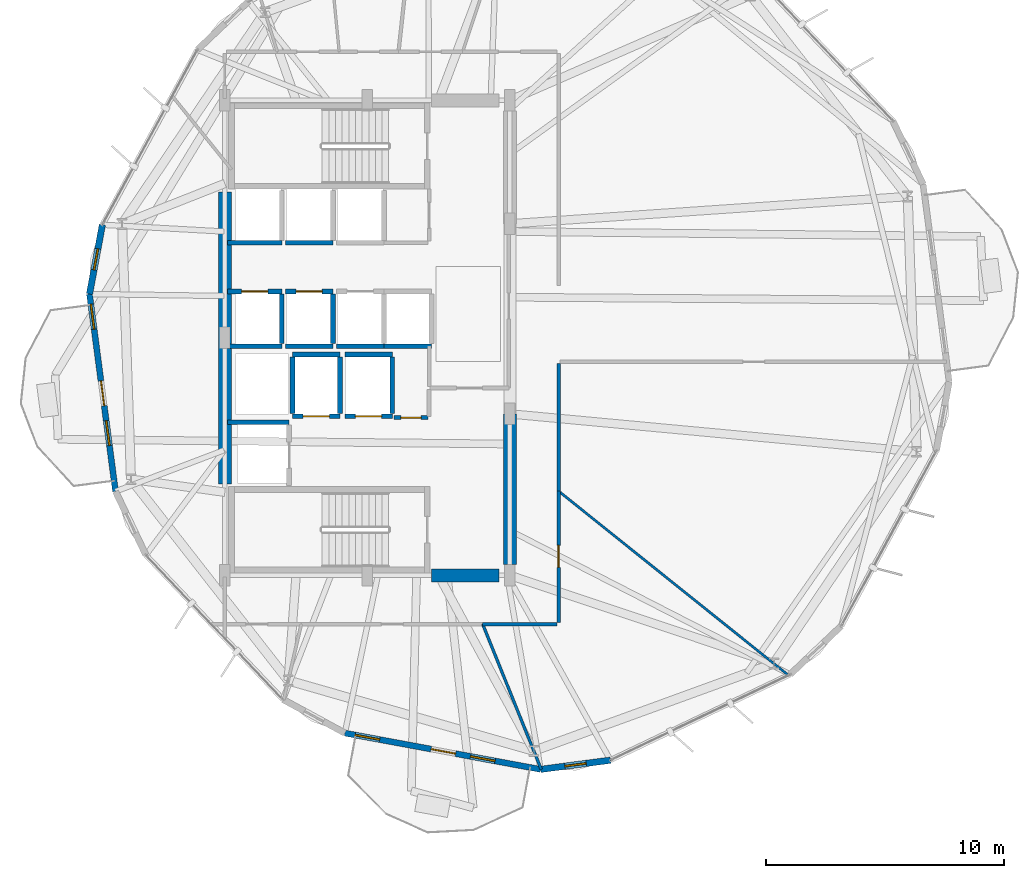
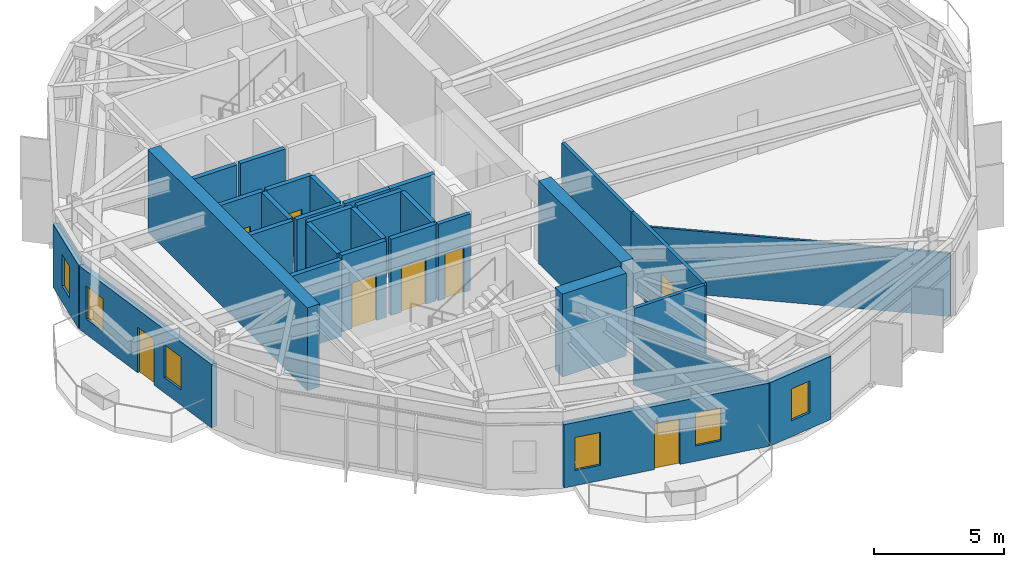
# One storey, part 20 of 25: 31 walls, 8 doors, 6 windows, 14 openings.
"""IFC4 building model written with IfcOpenShell, lengths in metres."""

import ifcopenshell
import ifcopenshell.guid

model = None  # the IFC model being written
_history = None  # IfcOwnerHistory: only IFC2X3 demands one
_inside = {}  # id of a spatial element -> (the spatial element, [elements in it])
_under = {}  # id of a project, library or spatial element -> (it, [spatial elements below it])
_declared = {}  # id of a project -> (the project, [libraries it declares])
_typed = {}  # id of a type object -> (the type object, [elements of that type])
_made_of = {}  # id of a material, layer set ... -> (it, [elements and type objects made of it])


def new_model(schema):
    """Start an empty IFC model of exactly this schema.

    Asked for "IFC4X3", IfcOpenShell would pick the latest addendum, in which some entities
    have other attributes; the version numbers below select the first issue.
    IFC2X3 requires an IfcOwnerHistory on every rooted entity: one is made here for all.
    """
    global model, _history
    if schema == "IFC4X3":
        model = ifcopenshell.file(schema_version=(4, 3, 0, 0))
    else:
        model = ifcopenshell.file(schema=schema)
    _inside.clear()
    _under.clear()
    _declared.clear()
    _typed.clear()
    _made_of.clear()
    _history = None
    if model.schema == "IFC2X3":
        org = make("IfcOrganization", Name="unknown")
        user = make(
            "IfcPersonAndOrganization",
            ThePerson=make("IfcPerson", FamilyName="unknown"),
            TheOrganization=org,
        )
        app = make(
            "IfcApplication",
            ApplicationDeveloper=org,
            Version="unknown",
            ApplicationFullName="unknown",
            ApplicationIdentifier="unknown",
        )
        _history = make(
            "IfcOwnerHistory",
            OwningUser=user,
            OwningApplication=app,
            ChangeAction="ADDED",
            CreationDate=0,
        )
    return model


def make(cls, **values):
    """One entity of the class cls with the attributes given. An attribute that is None is left unset."""
    return model.create_entity(
        cls, **{name: value for name, value in values.items() if value is not None}
    )


def rooted(cls, **values):
    """An entity with a GlobalId (a new one), such as an element, a storey or a relation."""
    return make(cls, GlobalId=ifcopenshell.guid.new(), OwnerHistory=_history, **values)


def si_unit(unit_type, name, prefix=None):
    """IfcSIUnit, for example si_unit("LENGTHUNIT", "METRE", prefix="MILLI")."""
    return make("IfcSIUnit", UnitType=unit_type, Prefix=prefix, Name=name)


def assignment(units):
    """IfcUnitAssignment: the units of a project."""
    return None if units is None else make("IfcUnitAssignment", Units=units)


def point(xyz):
    """IfcCartesianPoint."""
    return None if xyz is None else make("IfcCartesianPoint", Coordinates=xyz)


def direction(xyz):
    """IfcDirection."""
    return None if xyz is None else make("IfcDirection", DirectionRatios=xyz)


def frame(location, z_axis=None, x_axis=None):
    """IfcAxis2Placement3D, a coordinate frame: its origin and axes. An axis left out is left unset."""
    return make(
        "IfcAxis2Placement3D",
        Location=point(location),
        Axis=direction(z_axis),
        RefDirection=direction(x_axis),
    )


def frame_2d(location, x_axis=None):
    """IfcAxis2Placement2D, a coordinate frame in the plane: its origin and x axis."""
    return make(
        "IfcAxis2Placement2D", Location=point(location), RefDirection=direction(x_axis)
    )


def origin():
    """The frame at (0, 0, 0) with its axes left unset."""
    return frame((0.0, 0.0, 0.0))


def place(relative_to, where):
    """IfcLocalPlacement: puts the frame where relative to a parent placement (None: the world)."""
    return make(
        "IfcLocalPlacement", PlacementRelTo=relative_to, RelativePlacement=where
    )


def context(
    kind, dimensions, precision=None, world=None, true_north=None, identifier=None
):
    """IfcGeometricRepresentationContext, for example the 3D "Model" context."""
    return make(
        "IfcGeometricRepresentationContext",
        ContextIdentifier=identifier,
        ContextType=kind,
        CoordinateSpaceDimension=dimensions,
        Precision=precision,
        WorldCoordinateSystem=world,
        TrueNorth=true_north,
    )


def subcontext(parent, identifier, kind, view, scale=None):
    """IfcGeometricRepresentationSubContext, for example "Body" below "Model"."""
    return make(
        "IfcGeometricRepresentationSubContext",
        ContextIdentifier=identifier,
        ContextType=kind,
        ParentContext=parent,
        TargetScale=scale,
        TargetView=view,
    )


def project(units=None, contexts=None):
    """IfcProject with its units and contexts."""
    return rooted(
        "IfcProject",
        Name="project",
        RepresentationContexts=contexts,
        UnitsInContext=assignment(units),
    )


def spatial(cls, under=None, at=None, **own):
    """A site, building, storey or space (cls), placed at a placement, below another one or the project."""
    s = rooted(cls, ObjectPlacement=at, **own)
    if under is not None:
        _under.setdefault(under.id(), (under, []))[1].append(s)
    return s


def profile(cls, at=None, kind="AREA", **sizes):
    """A parametric profile (cls). Its sizes go by their IFC names, for example OverallWidth=200.0."""
    return make(cls, ProfileType=kind, Position=at, **sizes)


def rectangle(**sizes):
    """IfcRectangleProfileDef."""
    return profile("IfcRectangleProfileDef", **sizes)


def extrude(swept, where, along, depth):
    """IfcExtrudedAreaSolid: the profile swept, set in the frame where, extruded along a direction by depth."""
    return make(
        "IfcExtrudedAreaSolid",
        SweptArea=swept,
        Position=where,
        ExtrudedDirection=direction(along),
        Depth=depth,
    )


def shape(context_of_items, identifier, shape_type, items):
    """IfcShapeRepresentation: the items that make up one representation, for example the "Body"."""
    return make(
        "IfcShapeRepresentation",
        ContextOfItems=context_of_items,
        RepresentationIdentifier=identifier,
        RepresentationType=shape_type,
        Items=items,
    )


def material(Name=None, Category=None):
    """IfcMaterial."""
    return make("IfcMaterial", Name=Name, Category=Category)


def layer(
    of_material, thickness, ventilated=None, Name=None, Category=None, Priority=None
):
    """IfcMaterialLayer: one layer of a wall or slab, of a material (None: an air gap)."""
    return make(
        "IfcMaterialLayer",
        Material=of_material,
        LayerThickness=thickness,
        IsVentilated=ventilated,
        Name=Name,
        Category=Category,
        Priority=Priority,
    )


def layer_set(layers, Name=None):
    """IfcMaterialLayerSet."""
    return make("IfcMaterialLayerSet", MaterialLayers=layers, LayerSetName=Name)


def made_of(thing, what):
    """Note that an element or type object is made of a material, layer set ...; save() writes the relation."""
    if what is not None:
        _made_of.setdefault(what.id(), (what, []))[1].append(thing)
    return thing


def type_object(cls, material=None, **own):
    """A type object (cls), such as IfcWallType, which elements share."""
    return made_of(rooted(cls, **own), material)


def element(
    cls,
    number,
    at=None,
    inside=None,
    cuts=None,
    type_object=None,
    material=None,
    context=None,
    identifier="Body",
    shape_type=None,
    held_by="IfcProductDefinitionShape",
    body=None,
    shapes=None,
    **own,
):
    """One element of the class cls, such as IfcWall. Its Tag is "e" and its number.

    at: its placement. inside: the storey or other place that contains it. cuts: it is an
    opening in that element (IfcRelVoidsElement). A single representation is given by context,
    identifier, shape_type and body (its items); several are given by shapes. held_by: the class
    of the entity that holds the representations. save() writes the other relations.
    """
    e = rooted(cls, Tag="e%d" % number, ObjectPlacement=at, **own)
    if body is not None:
        shapes = [shape(context, identifier, shape_type, body)]
    if shapes is not None:
        e.Representation = make(held_by, Representations=shapes)
    if inside is not None:
        _inside.setdefault(inside.id(), (inside, []))[1].append(e)
    if cuts is not None:
        rooted(
            "IfcRelVoidsElement", RelatingBuildingElement=cuts, RelatedOpeningElement=e
        )
    if type_object is not None:
        _typed.setdefault(type_object.id(), (type_object, []))[1].append(e)
    return made_of(e, material)


def fill(opening, filler):
    """IfcRelFillsElement: the door or window that sits in an opening."""
    return rooted(
        "IfcRelFillsElement",
        RelatingOpeningElement=opening,
        RelatedBuildingElement=filler,
    )


def aggregate(whole, parts):
    """IfcRelAggregates: a whole, such as a stair, and the parts it consists of."""
    return rooted("IfcRelAggregates", RelatingObject=whole, RelatedObjects=parts)


def save(model, path):
    """Write the relations noted so far, then the file.

    IfcRelAggregates (storeys below a building ...), IfcRelContainedInSpatialStructure (elements
    in a storey), IfcRelDefinesByType, IfcRelAssociatesMaterial and IfcRelDeclares: one each for
    every whole, place, type object, material and project.
    """
    for whole, parts in _under.values():
        aggregate(whole, parts)
    for where, things in _inside.values():
        rooted(
            "IfcRelContainedInSpatialStructure",
            RelatedElements=things,
            RelatingStructure=where,
        )
    for kind, things in _typed.values():
        rooted("IfcRelDefinesByType", RelatedObjects=things, RelatingType=kind)
    for what, things in _made_of.values():
        rooted("IfcRelAssociatesMaterial", RelatedObjects=things, RelatingMaterial=what)
    for by, libraries in _declared.values():
        rooted("IfcRelDeclares", RelatingContext=by, RelatedDefinitions=libraries)
    model.write(path)


model = new_model("IFC4")

# Units and contexts
model_context = context("Model", 3, precision=1e-05, world=origin(), true_north=direction((0.0, 1.0)))
body_context = subcontext(model_context, "Body", "Model", "MODEL_VIEW")
ifc_project = project(units=[si_unit("LENGTHUNIT", "METRE"), si_unit("AREAUNIT", "SQUARE_METRE"), si_unit("VOLUMEUNIT", "CUBIC_METRE"), si_unit("PLANEANGLEUNIT", "RADIAN"), si_unit("MASSUNIT", "GRAM", prefix="KILO")], contexts=[model_context])

# Site, building, storey
site_placement = place(None, origin())
site = spatial("IfcSite", under=ifc_project, at=site_placement, CompositionType="ELEMENT")
building_placement = place(site_placement, origin())
building = spatial("IfcBuilding", under=site, at=building_placement, Name="Soratama Intermodal Tower", CompositionType="ELEMENT")
storey_placement = place(building_placement, frame((0.0, 0.0, 126.39990234375)))
storey = spatial("IfcBuildingStorey", under=building, at=storey_placement, Name="L30", CompositionType="ELEMENT", Elevation=126.39990234375)

# Wall, openings, door, windows
ifc_material_1 = material(Name="Concrete f'c 42 MPa", Category="concrete")
ifc_layer_1 = layer(ifc_material_1, 0.25)
ifc_layer_set_1 = layer_set([ifc_layer_1], Name="Concrete f'c 42 MPa")
wall_type_1 = type_object("IfcWallType", Name="EW-BAL-250", PredefinedType="SOLIDWALL", material=ifc_layer_set_1)
wall_1_placement = place(storey_placement, frame((26.9033203125, 26.845458984375, 0.0), z_axis=(0.0, 0.0, 1.0), x_axis=(0.130551689343, -0.99144150428, 0.0)))
wall_1 = element("IfcWall", 1, at=wall_1_placement, inside=storey, type_object=wall_type_1, Name="L30 Terrace Wall F05", PredefinedType="SOLIDWALL", context=body_context, shape_type="SweptSolid", body=[
    extrude(rectangle(XDim=8.383544921875, YDim=0.25, at=frame_2d((4.19189453125, 0.0))), origin(), (0.0, 0.0, 1.0), 2.97900390625),
])
opening_1_placement = place(wall_1_placement, frame((3.69189453125, 0.0, 0.0)))
opening_1 = element("IfcOpeningElement", 2, at=opening_1_placement, cuts=wall_1, Name="Opening ED-5", PredefinedType="OPENING", context=body_context, shape_type="SweptSolid", body=[
    extrude(rectangle(XDim=1.050048828125, YDim=2.14990234375, at=frame_2d((0.52490234375, 1.074951171875))), frame((0.0, 0.135009765625, 0.0), z_axis=(0.0, -1.0, 0.0), x_axis=(1.0, 0.0, 0.0)), (0.0, 0.0, 1.0), 0.27001953125),
])
opening_2_placement = place(wall_1_placement, frame((0.43994140625, 0.0, 0.719970703125)))
opening_2 = element("IfcOpeningElement", 3, at=opening_2_placement, cuts=wall_1, Name="Opening WN-5", PredefinedType="OPENING", context=body_context, shape_type="SweptSolid", body=[
    extrude(rectangle(XDim=1.050048828125, YDim=1.550048828125, at=frame_2d((0.52490234375, 0.77490234375))), frame((0.0, 0.135009765625, 0.0), z_axis=(0.0, -1.0, 0.0), x_axis=(1.0, 0.0, 0.0)), (0.0, 0.0, 1.0), 0.27001953125),
])
opening_3_placement = place(wall_1_placement, frame((5.3818359375, 0.0, 0.719970703125)))
opening_3 = element("IfcOpeningElement", 4, at=opening_3_placement, cuts=wall_1, Name="Opening WN-5", PredefinedType="OPENING", context=body_context, shape_type="SweptSolid", body=[
    extrude(rectangle(XDim=1.050048828125, YDim=1.550048828125, at=frame_2d((0.52490234375, 0.77490234375))), frame((0.0, 0.135009765625, 0.0), z_axis=(0.0, -1.0, 0.0), x_axis=(1.0, 0.0, 0.0)), (0.0, 0.0, 1.0), 0.27001953125),
])
ifc_material_2 = material(Name="Double-glazed aluminium door", Category="aluminium")
door_type_1 = type_object("IfcDoorType", Name="DR-BAL-1050", OperationType="NOTDEFINED", PredefinedType="DOOR", material=ifc_material_2)
door_1_placement = place(opening_1_placement, origin())
door_1 = element("IfcDoor", 5, at=door_1_placement, inside=storey, type_object=door_type_1, Name="L30 Balcony Door F05", OperationType="SINGLE_SWING_LEFT", OverallHeight=2.14990234375, OverallWidth=1.050048828125, PredefinedType="DOOR", context=body_context, shape_type="SweptSolid", body=[
    extrude(rectangle(XDim=1.050048828125, YDim=2.14990234375, at=frame_2d((0.52490234375, 1.074951171875))), frame((0.0, 0.02490234375, 0.0), z_axis=(0.0, -1.0, 0.0), x_axis=(1.0, 0.0, 0.0)), (0.0, 0.0, 1.0), 0.050048828125),
])
fill(opening_1, door_1)
ifc_material_3 = material(Name="Double-glazed aluminium window", Category="aluminium")
window_type_1 = type_object("IfcWindowType", Name="WN-FAC-1050", PartitioningType="SINGLE_PANEL", PredefinedType="WINDOW", material=ifc_material_3)
window_1_placement = place(opening_2_placement, origin())
window_1 = element("IfcWindow", 6, at=window_1_placement, inside=storey, type_object=window_type_1, Name="L30 Window A F05", OverallHeight=1.550048828125, OverallWidth=1.050048828125, PartitioningType="SINGLE_PANEL", PredefinedType="WINDOW", context=body_context, shape_type="SweptSolid", body=[
    extrude(rectangle(XDim=1.050048828125, YDim=1.550048828125, at=frame_2d((0.52490234375, 0.77490234375))), frame((0.0, 0.030029296875, 0.0), z_axis=(0.0, -1.0, 0.0), x_axis=(1.0, 0.0, 0.0)), (0.0, 0.0, 1.0), 0.06005859375),
])
fill(opening_2, window_1)
window_2_placement = place(opening_3_placement, origin())
window_2 = element("IfcWindow", 7, at=window_2_placement, inside=storey, type_object=window_type_1, Name="L30 Window B F05", OverallHeight=1.550048828125, OverallWidth=1.050048828125, PartitioningType="SINGLE_PANEL", PredefinedType="WINDOW", context=body_context, shape_type="SweptSolid", body=[
    extrude(rectangle(XDim=1.050048828125, YDim=1.550048828125, at=frame_2d((0.52490234375, 0.77490234375))), frame((0.0, 0.030029296875, 0.0), z_axis=(0.0, -1.0, 0.0), x_axis=(1.0, 0.0, 0.0)), (0.0, 0.0, 1.0), 0.06005859375),
])
fill(opening_3, window_2)

wall_2_placement = place(storey_placement, frame((37.652587890625, 8.359375, 0.0), z_axis=(0.0, 0.0, 1.0), x_axis=(0.983253798772, -0.182241507899, 0.0)))
wall_2 = element("IfcWall", 8, at=wall_2_placement, inside=storey, type_object=wall_type_1, Name="L30 Terrace Wall F07", PredefinedType="SOLIDWALL", context=body_context, shape_type="SweptSolid", body=[
    extrude(rectangle(XDim=8.383544921875, YDim=0.25, at=frame_2d((4.19189453125, 0.0))), origin(), (0.0, 0.0, 1.0), 2.97900390625),
])
opening_4_placement = place(wall_2_placement, frame((3.691650390625, 0.0, 0.0)))
opening_4 = element("IfcOpeningElement", 9, at=opening_4_placement, cuts=wall_2, Name="Opening ED-5", PredefinedType="OPENING", context=body_context, shape_type="SweptSolid", body=[
    extrude(rectangle(XDim=1.050048828125, YDim=2.14990234375, at=frame_2d((0.52490234375, 1.074951171875))), frame((0.0, 0.135009765625, 0.0), z_axis=(0.0, -1.0, 0.0), x_axis=(1.0, 0.0, 0.0)), (0.0, 0.0, 1.0), 0.27001953125),
])
opening_5_placement = place(wall_2_placement, frame((0.43994140625, 0.0, 0.719970703125)))
opening_5 = element("IfcOpeningElement", 10, at=opening_5_placement, cuts=wall_2, Name="Opening WN-5", PredefinedType="OPENING", context=body_context, shape_type="SweptSolid", body=[
    extrude(rectangle(XDim=1.050048828125, YDim=1.550048828125, at=frame_2d((0.52490234375, 0.77490234375))), frame((0.0, 0.135009765625, 0.0), z_axis=(0.0, -1.0, 0.0), x_axis=(1.0, 0.0, 0.0)), (0.0, 0.0, 1.0), 0.27001953125),
])
opening_6_placement = place(wall_2_placement, frame((5.381591796875, 0.0, 0.719970703125)))
opening_6 = element("IfcOpeningElement", 11, at=opening_6_placement, cuts=wall_2, Name="Opening WN-5", PredefinedType="OPENING", context=body_context, shape_type="SweptSolid", body=[
    extrude(rectangle(XDim=1.050048828125, YDim=1.550048828125, at=frame_2d((0.52490234375, 0.77490234375))), frame((0.0, 0.135009765625, 0.0), z_axis=(0.0, -1.0, 0.0), x_axis=(1.0, 0.0, 0.0)), (0.0, 0.0, 1.0), 0.27001953125),
])
door_2_placement = place(opening_4_placement, origin())
door_2 = element("IfcDoor", 12, at=door_2_placement, inside=storey, type_object=door_type_1, Name="L30 Balcony Door F07", OperationType="SINGLE_SWING_LEFT", OverallHeight=2.14990234375, OverallWidth=1.050048828125, PredefinedType="DOOR", context=body_context, shape_type="SweptSolid", body=[
    extrude(rectangle(XDim=1.050048828125, YDim=2.14990234375, at=frame_2d((0.52490234375, 1.074951171875))), frame((0.0, 0.02490234375, 0.0), z_axis=(0.0, -1.0, 0.0), x_axis=(1.0, 0.0, 0.0)), (0.0, 0.0, 1.0), 0.050048828125),
])
fill(opening_4, door_2)
window_3_placement = place(opening_5_placement, origin())
window_3 = element("IfcWindow", 13, at=window_3_placement, inside=storey, type_object=window_type_1, Name="L30 Window A F07", OverallHeight=1.550048828125, OverallWidth=1.050048828125, PartitioningType="SINGLE_PANEL", PredefinedType="WINDOW", context=body_context, shape_type="SweptSolid", body=[
    extrude(rectangle(XDim=1.050048828125, YDim=1.550048828125, at=frame_2d((0.52490234375, 0.77490234375))), frame((0.0, 0.030029296875, 0.0), z_axis=(0.0, -1.0, 0.0), x_axis=(1.0, 0.0, 0.0)), (0.0, 0.0, 1.0), 0.06005859375),
])
fill(opening_5, window_3)
window_4_placement = place(opening_6_placement, origin())
window_4 = element("IfcWindow", 14, at=window_4_placement, inside=storey, type_object=window_type_1, Name="L30 Window B F07", OverallHeight=1.550048828125, OverallWidth=1.050048828125, PartitioningType="SINGLE_PANEL", PredefinedType="WINDOW", context=body_context, shape_type="SweptSolid", body=[
    extrude(rectangle(XDim=1.050048828125, YDim=1.550048828125, at=frame_2d((0.52490234375, 0.77490234375))), frame((0.0, 0.030029296875, 0.0), z_axis=(0.0, -1.0, 0.0), x_axis=(1.0, 0.0, 0.0)), (0.0, 0.0, 1.0), 0.06005859375),
])
fill(opening_6, window_4)

# Wall, opening, window
ifc_material_4 = material(Name="Concrete f'c 42 MPa", Category="concrete")
ifc_layer_2 = layer(ifc_material_4, 0.27001953125)
ifc_layer_set_2 = layer_set([ifc_layer_2], Name="Concrete f'c 42 MPa")
wall_type_2 = type_object("IfcWallType", Name="EW-CRN-270", PredefinedType="SOLIDWALL", material=ifc_layer_set_2)
wall_3_placement = place(storey_placement, frame((27.444091796875, 29.76220703125, 0.0), z_axis=(0.0, 0.0, 1.0), x_axis=(-0.182295553122, -0.983243780205, 0.0)))
wall_3 = element("IfcWall", 15, at=wall_3_placement, inside=storey, type_object=wall_type_2, Name="L30 Corner Closure Wall 04", PredefinedType="SOLIDWALL", context=body_context, shape_type="SweptSolid", body=[
    extrude(rectangle(XDim=2.966552734375, YDim=0.27001953125, at=frame_2d((1.4833984375, 0.0))), origin(), (0.0, 0.0, 1.0), 2.97900390625),
])
opening_7_placement = place(wall_3_placement, frame((1.033203125, 0.0, 0.75)))
opening_7 = element("IfcOpeningElement", 16, at=opening_7_placement, cuts=wall_3, Name="Opening WN-6", PredefinedType="OPENING", context=body_context, shape_type="SweptSolid", body=[
    extrude(rectangle(XDim=0.89990234375, YDim=1.5, at=frame_2d((0.449951171875, 0.75))), frame((0.0, 0.14501953125, 0.0), z_axis=(0.0, -1.0, 0.0), x_axis=(1.0, 0.0, 0.0)), (0.0, 0.0, 1.0), 0.2900390625),
])
ifc_material_5 = material(Name="Double-glazed aluminium window", Category="aluminium")
window_type_2 = type_object("IfcWindowType", Name="WN-FAC-900", PartitioningType="SINGLE_PANEL", PredefinedType="WINDOW", material=ifc_material_5)
window_5_placement = place(opening_7_placement, origin())
window_5 = element("IfcWindow", 17, at=window_5_placement, inside=storey, type_object=window_type_2, Name="L30 Corner Window 04", OverallHeight=1.5, OverallWidth=0.89990234375, PartitioningType="SINGLE_PANEL", PredefinedType="WINDOW", context=body_context, shape_type="SweptSolid", body=[
    extrude(rectangle(XDim=0.89990234375, YDim=1.5, at=frame_2d((0.449951171875, 0.75))), frame((0.0, 0.030029296875, 0.0), z_axis=(0.0, -1.0, 0.0), x_axis=(1.0, 0.0, 0.0)), (0.0, 0.0, 1.0), 0.06005859375),
])
fill(opening_7, window_5)

wall_4_placement = place(storey_placement, frame((45.895751953125, 6.83154296875, 0.0), z_axis=(0.0, 0.0, 1.0), x_axis=(0.991434395997, 0.130605660036, 0.0)))
wall_4 = element("IfcWall", 18, at=wall_4_placement, inside=storey, type_object=wall_type_2, Name="L30 Corner Closure Wall 07", PredefinedType="SOLIDWALL", context=body_context, shape_type="SweptSolid", body=[
    extrude(rectangle(XDim=2.966552734375, YDim=0.27001953125, at=frame_2d((1.4833984375, 0.0))), origin(), (0.0, 0.0, 1.0), 2.97900390625),
])
opening_8_placement = place(wall_4_placement, frame((1.033203125, 0.0, 0.75)))
opening_8 = element("IfcOpeningElement", 19, at=opening_8_placement, cuts=wall_4, Name="Opening WN-6", PredefinedType="OPENING", context=body_context, shape_type="SweptSolid", body=[
    extrude(rectangle(XDim=0.89990234375, YDim=1.5, at=frame_2d((0.449951171875, 0.75))), frame((0.0, 0.14501953125, 0.0), z_axis=(0.0, -1.0, 0.0), x_axis=(1.0, 0.0, 0.0)), (0.0, 0.0, 1.0), 0.2900390625),
])
window_6_placement = place(opening_8_placement, origin())
window_6 = element("IfcWindow", 20, at=window_6_placement, inside=storey, type_object=window_type_2, Name="L30 Corner Window 07", OverallHeight=1.5, OverallWidth=0.89990234375, PartitioningType="SINGLE_PANEL", PredefinedType="WINDOW", context=body_context, shape_type="SweptSolid", body=[
    extrude(rectangle(XDim=0.89990234375, YDim=1.5, at=frame_2d((0.449951171875, 0.75))), frame((0.0, 0.030029296875, 0.0), z_axis=(0.0, -1.0, 0.0), x_axis=(1.0, 0.0, 0.0)), (0.0, 0.0, 1.0), 0.06005859375),
])
fill(opening_8, window_6)

# Wall, opening, door
ifc_material_6 = material(Name="Fire-rated gypsum stud partition", Category="concrete")
ifc_layer_3 = layer(ifc_material_6, 0.14990234375)
ifc_layer_set_3 = layer_set([ifc_layer_3], Name="Fire-rated gypsum stud partition")
wall_type_3 = type_object("IfcWallType", Name="IW-PART-R150", PredefinedType="PARTITIONING", material=ifc_layer_set_3)
wall_5_placement = place(storey_placement, frame((46.64990234375, 18.550048828125, 0.0), z_axis=(0.0, 0.0, 1.0), x_axis=(0.0, -1.0, 0.0)))
wall_5 = element("IfcWall", 21, at=wall_5_placement, inside=storey, type_object=wall_type_3, Name="L30 Partition W-L30-TP007", PredefinedType="PARTITIONING", context=body_context, shape_type="SweptSolid", body=[
    extrude(rectangle(XDim=5.530029296875, YDim=0.14990234375, at=frame_2d((2.76513671875, 0.0))), origin(), (0.0, 0.0, 1.0), 3.60009765625),
])
opening_9_placement = place(wall_5_placement, frame((2.2900390625, 0.0, 0.0)))
opening_9 = element("IfcOpeningElement", 22, at=opening_9_placement, cuts=wall_5, Name="Opening ID-6", PredefinedType="OPENING", context=body_context, shape_type="SweptSolid", body=[
    extrude(rectangle(XDim=0.919921875, YDim=2.1201171875, at=frame_2d((0.4599609375, 1.06005859375))), frame((0.0, 0.0849609375, 0.0), z_axis=(0.0, -1.0, 0.0), x_axis=(1.0, 0.0, 0.0)), (0.0, 0.0, 1.0), 0.169921875),
])
ifc_material_7 = material(Name="Solid hardwood acoustic door", Category="wood")
door_type_2 = type_object("IfcDoorType", Name="DR-ROOM-920", OperationType="NOTDEFINED", PredefinedType="DOOR", material=ifc_material_7)
door_3_placement = place(opening_9_placement, origin())
door_3 = element("IfcDoor", 23, at=door_3_placement, inside=storey, type_object=door_type_2, Name="L30 Door D-L30-TP004", OperationType="SINGLE_SWING_LEFT", OverallHeight=2.1201171875, OverallWidth=0.919921875, PredefinedType="DOOR", context=body_context, shape_type="SweptSolid", body=[
    extrude(rectangle(XDim=0.919921875, YDim=2.1201171875, at=frame_2d((0.4599609375, 1.06005859375))), frame((0.0, 0.02490234375, 0.0), z_axis=(0.0, -1.0, 0.0), x_axis=(1.0, 0.0, 0.0)), (0.0, 0.0, 1.0), 0.050048828125),
])
fill(opening_9, door_3)

# Walls
wall_6_placement = place(storey_placement, frame((46.64990234375, 23.929931640625, 0.0), z_axis=(0.0, 0.0, 1.0), x_axis=(0.0, -1.0, 0.0)))
element("IfcWall", 24, at=wall_6_placement, inside=storey, type_object=wall_type_3, Name="L30 Partition W-L30-TP009", PredefinedType="PARTITIONING", context=body_context, shape_type="SweptSolid", body=[
    extrude(rectangle(XDim=5.3798828125, YDim=0.14990234375, at=frame_2d((2.68994140625, 0.0))), origin(), (0.0, 0.0, 1.0), 3.60009765625),
])
wall_7_placement = place(storey_placement, frame((46.580078125, 12.949951171875, 0.0), z_axis=(0.0, 0.0, 1.0), x_axis=(-1.0, 0.0, 0.0)))
element("IfcWall", 25, at=wall_7_placement, inside=storey, type_object=wall_type_3, Name="L30 Partition W-L30-TP016", PredefinedType="PARTITIONING", context=body_context, shape_type="SweptSolid", body=[
    extrude(rectangle(XDim=3.125, YDim=0.14990234375, at=frame_2d((1.5625, 0.0))), origin(), (0.0, 0.0, 1.0), 3.60009765625),
])

# Wall, opening, door
ifc_material_8 = material(Name="Fire-rated gypsum stud partition", Category="concrete")
ifc_layer_4 = layer(ifc_material_8, 0.169921875)
ifc_layer_set_4 = layer_set([ifc_layer_4], Name="Fire-rated gypsum stud partition")
wall_type_4 = type_object("IfcWallType", Name="IW-PART-R170", PredefinedType="PARTITIONING", material=ifc_layer_set_4)
wall_8_placement = place(storey_placement, frame((39.719970703125, 21.639892578125, 0.0), z_axis=(0.0, 0.0, 1.0), x_axis=(1.0, 0.0, 0.0)))
wall_8 = element("IfcWall", 26, at=wall_8_placement, inside=storey, type_object=wall_type_4, Name="L30 Partition W-L30-TP027", PredefinedType="PARTITIONING", context=body_context, shape_type="SweptSolid", body=[
    extrude(rectangle(XDim=1.43994140625, YDim=0.169921875, at=frame_2d((0.719970703125, 0.0))), origin(), (0.0, 0.0, 1.0), 3.60009765625),
])
opening_10_placement = place(wall_8_placement, frame((0.294921875, 0.0, 0.0)))
opening_10 = element("IfcOpeningElement", 27, at=opening_10_placement, cuts=wall_8, Name="Opening ID-4", PredefinedType="OPENING", context=body_context, shape_type="SweptSolid", body=[
    extrude(rectangle(XDim=0.85009765625, YDim=2.10009765625, at=frame_2d((0.425048828125, 1.050048828125))), frame((0.0, 0.094970703125, 0.0), z_axis=(0.0, -1.0, 0.0), x_axis=(1.0, 0.0, 0.0)), (0.0, 0.0, 1.0), 0.18994140625),
])
ifc_material_9 = material(Name="Solid hardwood acoustic door", Category="wood")
door_type_3 = type_object("IfcDoorType", Name="DR-BATH-850", OperationType="NOTDEFINED", PredefinedType="DOOR", material=ifc_material_9)
door_4_placement = place(opening_10_placement, origin())
door_4 = element("IfcDoor", 28, at=door_4_placement, inside=storey, type_object=door_type_3, Name="L30 Door D-L30-TP013", OperationType="SINGLE_SWING_RIGHT", OverallHeight=2.10009765625, OverallWidth=0.85009765625, PredefinedType="DOOR", context=body_context, shape_type="SweptSolid", body=[
    extrude(rectangle(XDim=0.85009765625, YDim=2.10009765625, at=frame_2d((0.425048828125, 1.050048828125))), frame((0.0, 0.02490234375, 0.0), z_axis=(0.0, -1.0, 0.0), x_axis=(1.0, 0.0, 0.0)), (0.0, 0.0, 1.0), 0.050048828125),
])
fill(opening_10, door_4)

# Walls
ifc_material_10 = material(Name="Fire-rated gypsum stud partition", Category="concrete")
ifc_layer_5 = layer(ifc_material_10, 0.10009765625)
ifc_layer_set_5 = layer_set([ifc_layer_5], Name="Fire-rated gypsum stud partition")
wall_type_5 = type_object("IfcWallType", Name="IW-PART-S100", PredefinedType="PARTITIONING", material=ifc_layer_set_5)
wall_9_placement = place(storey_placement, frame((46.64990234375, 18.550048828125, 0.0), z_axis=(0.0, 0.0, 1.0), x_axis=(0.780390500905, -0.625292464449, 0.0)))
element("IfcWall", 29, at=wall_9_placement, inside=storey, type_object=wall_type_5, Name="L30 Partition W-L30-TP002", PredefinedType="PARTITIONING", context=body_context, shape_type="SweptSolid", body=[
    extrude(rectangle(XDim=12.405517578125, YDim=0.10009765625, at=frame_2d((6.20263671875, 0.0))), origin(), (0.0, 0.0, 1.0), 2.97802734375),
])
ifc_material_11 = material(Name="Fire-rated gypsum stud partition", Category="concrete")
ifc_layer_6 = layer(ifc_material_11, 0.1201171875)
ifc_layer_set_6 = layer_set([ifc_layer_6], Name="Fire-rated gypsum stud partition")
wall_type_6 = type_object("IfcWallType", Name="IW-PART-S120", PredefinedType="PARTITIONING", material=ifc_layer_set_6)
wall_10_placement = place(storey_placement, frame((43.455078125, 12.949951171875, 0.0), z_axis=(0.0, 0.0, 1.0), x_axis=(0.37393496539, -0.927454927023, 0.0)))
element("IfcWall", 30, at=wall_10_placement, inside=storey, type_object=wall_type_6, Name="L30 Partition W-L30-TP005", PredefinedType="PARTITIONING", context=body_context, shape_type="SweptSolid", body=[
    extrude(rectangle(XDim=6.597412109375, YDim=0.1201171875, at=frame_2d((3.298828125, 0.0))), origin(), (0.0, 0.0, 1.0), 2.89501953125),
])

# Wall, opening, door
ifc_material_12 = material(Name="Concrete f'c 42 MPa", Category="concrete")
ifc_layer_7 = layer(ifc_material_12, 0.199951171875)
ifc_layer_set_7 = layer_set([ifc_layer_7], Name="Concrete f'c 42 MPa")
wall_type_7 = type_object("IfcWallType", Name="IW-SHAFT-200", PredefinedType="SOLIDWALL", material=ifc_layer_set_7)
wall_11_placement = place(storey_placement, frame((35.449951171875, 21.699951171875, 0.0), z_axis=(0.0, 0.0, 1.0), x_axis=(1.0, 0.0, 0.0)))
wall_11 = element("IfcWall", 31, at=wall_11_placement, inside=storey, type_object=wall_type_7, Name="L30 FFL-1 Hoistway Wall S", PredefinedType="SOLIDWALL", context=body_context, shape_type="SweptSolid", body=[
    extrude(rectangle(XDim=2.0, YDim=0.199951171875, at=frame_2d((1.0, 0.0))), origin(), (0.0, 0.0, 1.0), 3.60009765625),
])
opening_11_placement = place(wall_11_placement, frame((0.449951171875, 0.0, 0.0)))
opening_11 = element("IfcOpeningElement", 32, at=opening_11_placement, cuts=wall_11, Name="Opening LD-1", PredefinedType="OPENING", context=body_context, shape_type="SweptSolid", body=[
    extrude(rectangle(XDim=1.10009765625, YDim=2.14990234375, at=frame_2d((0.550048828125, 1.074951171875))), frame((0.0, 0.10986328125, 0.0), z_axis=(0.0, -1.0, 0.0), x_axis=(1.0, 0.0, 0.0)), (0.0, 0.0, 1.0), 0.219970703125),
])
ifc_material_13 = material(Name="Steel fire door", Category="steel")
door_type_4 = type_object("IfcDoorType", Name="DR-LIFT-SLIDE", OperationType="NOTDEFINED", PredefinedType="DOOR", material=ifc_material_13)
door_5_placement = place(opening_11_placement, origin())
door_5 = element("IfcDoor", 33, at=door_5_placement, inside=storey, type_object=door_type_4, Name="L30 FFL-1 Sliding Landing Door", OperationType="SLIDING_TO_LEFT", OverallHeight=2.14990234375, OverallWidth=1.10009765625, PredefinedType="DOOR", context=body_context, shape_type="SweptSolid", body=[
    extrude(rectangle(XDim=1.10009765625, YDim=2.14990234375, at=frame_2d((0.550048828125, 1.074951171875))), frame((0.0, 0.02490234375, 0.0), z_axis=(0.0, -1.0, 0.0), x_axis=(1.0, 0.0, 0.0)), (0.0, 0.0, 1.0), 0.050048828125),
])
fill(opening_11, door_5)

# Walls
wall_12_placement = place(storey_placement, frame((35.449951171875, 24.300048828125, 0.0), z_axis=(0.0, 0.0, 1.0), x_axis=(1.0, 0.0, 0.0)))
element("IfcWall", 34, at=wall_12_placement, inside=storey, type_object=wall_type_7, Name="L30 FFL-1 Hoistway Wall N", PredefinedType="SOLIDWALL", context=body_context, shape_type="SweptSolid", body=[
    extrude(rectangle(XDim=2.0, YDim=0.199951171875, at=frame_2d((1.0, 0.0))), origin(), (0.0, 0.0, 1.0), 3.60009765625),
])
for number, where, z_axis, x_axis, name in (
    (35, (35.449951171875, 21.81005859375, 0.0), (0.0, 0.0, 1.0), (0.0, 1.0, 0.0), "L30 FFL-1 Hoistway Wall W"),
    (36, (37.449951171875, 21.81005859375, 0.0), (0.0, 0.0, 1.0), (0.0, 1.0, 0.0), "L30 FFL-1 Hoistway Wall E"),
):
    element("IfcWall", number, at=place(storey_placement, frame(where, z_axis=z_axis, x_axis=x_axis)), inside=storey, type_object=wall_type_7, Name=name, PredefinedType="SOLIDWALL", context=body_context, shape_type="SweptSolid", body=[
        extrude(rectangle(XDim=2.3798828125, YDim=0.199951171875, at=frame_2d((1.18994140625, 0.0))), origin(), (0.0, 0.0, 1.0), 3.60009765625),
    ])

# Wall, opening, door
wall_13_placement = place(storey_placement, frame((37.64990234375, 21.699951171875, 0.0), z_axis=(0.0, 0.0, 1.0), x_axis=(1.0, 0.0, 0.0)))
wall_13 = element("IfcWall", 37, at=wall_13_placement, inside=storey, type_object=wall_type_7, Name="L30 FFL-2 Hoistway Wall S", PredefinedType="SOLIDWALL", context=body_context, shape_type="SweptSolid", body=[
    extrude(rectangle(XDim=2.0, YDim=0.199951171875, at=frame_2d((1.0, 0.0))), origin(), (0.0, 0.0, 1.0), 3.60009765625),
])
opening_12_placement = place(wall_13_placement, frame((0.449951171875, 0.0, 0.0)))
opening_12 = element("IfcOpeningElement", 38, at=opening_12_placement, cuts=wall_13, Name="Opening LD-1", PredefinedType="OPENING", context=body_context, shape_type="SweptSolid", body=[
    extrude(rectangle(XDim=1.10009765625, YDim=2.14990234375, at=frame_2d((0.550048828125, 1.074951171875))), frame((0.0, 0.10986328125, 0.0), z_axis=(0.0, -1.0, 0.0), x_axis=(1.0, 0.0, 0.0)), (0.0, 0.0, 1.0), 0.219970703125),
])
door_6_placement = place(opening_12_placement, origin())
door_6 = element("IfcDoor", 39, at=door_6_placement, inside=storey, type_object=door_type_4, Name="L30 FFL-2 Sliding Landing Door", OperationType="SLIDING_TO_LEFT", OverallHeight=2.14990234375, OverallWidth=1.10009765625, PredefinedType="DOOR", context=body_context, shape_type="SweptSolid", body=[
    extrude(rectangle(XDim=1.10009765625, YDim=2.14990234375, at=frame_2d((0.550048828125, 1.074951171875))), frame((0.0, 0.02490234375, 0.0), z_axis=(0.0, -1.0, 0.0), x_axis=(1.0, 0.0, 0.0)), (0.0, 0.0, 1.0), 0.050048828125),
])
fill(opening_12, door_6)

# Walls
wall_14_placement = place(storey_placement, frame((37.64990234375, 24.300048828125, 0.0), z_axis=(0.0, 0.0, 1.0), x_axis=(1.0, 0.0, 0.0)))
element("IfcWall", 40, at=wall_14_placement, inside=storey, type_object=wall_type_7, Name="L30 FFL-2 Hoistway Wall N", PredefinedType="SOLIDWALL", context=body_context, shape_type="SweptSolid", body=[
    extrude(rectangle(XDim=2.0, YDim=0.199951171875, at=frame_2d((1.0, 0.0))), origin(), (0.0, 0.0, 1.0), 3.60009765625),
])
wall_15_placement = place(storey_placement, frame((39.64990234375, 21.81005859375, 0.0), z_axis=(0.0, 0.0, 1.0), x_axis=(0.0, 1.0, 0.0)))
element("IfcWall", 41, at=wall_15_placement, inside=storey, type_object=wall_type_7, Name="L30 FFL-2 Hoistway Wall E", PredefinedType="SOLIDWALL", context=body_context, shape_type="SweptSolid", body=[
    extrude(rectangle(XDim=2.3798828125, YDim=0.199951171875, at=frame_2d((1.18994140625, 0.0))), origin(), (0.0, 0.0, 1.0), 3.60009765625),
])
wall_16_placement = place(storey_placement, frame((32.719970703125, 21.449951171875, 0.0), z_axis=(0.0, 0.0, 1.0), x_axis=(1.0, 0.0, 0.0)))
element("IfcWall", 42, at=wall_16_placement, inside=storey, type_object=wall_type_7, Name="L30 SVL-1 Hoistway Wall N", PredefinedType="SOLIDWALL", context=body_context, shape_type="SweptSolid", body=[
    extrude(rectangle(XDim=2.580078125, YDim=0.199951171875, at=frame_2d((1.2900390625, 0.0))), origin(), (0.0, 0.0, 1.0), 3.60009765625),
])
wall_17_placement = place(storey_placement, frame((32.719970703125, 24.64990234375, 0.0), z_axis=(0.0, 0.0, 1.0), x_axis=(1.0, 0.0, 0.0)))
element("IfcWall", 43, at=wall_17_placement, inside=storey, type_object=wall_type_7, Name="L30 PL-L1 Hoistway Wall S", PredefinedType="SOLIDWALL", context=body_context, shape_type="SweptSolid", body=[
    extrude(rectangle(XDim=2.280029296875, YDim=0.199951171875, at=frame_2d((1.14013671875, 0.0))), origin(), (0.0, 0.0, 1.0), 3.60009765625),
])

# Wall, opening, door
wall_18_placement = place(storey_placement, frame((32.719970703125, 26.949951171875, 0.0), z_axis=(0.0, 0.0, 1.0), x_axis=(1.0, 0.0, 0.0)))
wall_18 = element("IfcWall", 44, at=wall_18_placement, inside=storey, type_object=wall_type_7, Name="L30 PL-L1 Hoistway Wall N", PredefinedType="SOLIDWALL", context=body_context, shape_type="SweptSolid", body=[
    extrude(rectangle(XDim=2.280029296875, YDim=0.199951171875, at=frame_2d((1.14013671875, 0.0))), origin(), (0.0, 0.0, 1.0), 3.60009765625),
])
opening_13_placement = place(wall_18_placement, frame((0.590087890625, 0.0, 0.0)))
opening_13 = element("IfcOpeningElement", 45, at=opening_13_placement, cuts=wall_18, Name="Opening LD-1", PredefinedType="OPENING", context=body_context, shape_type="SweptSolid", body=[
    extrude(rectangle(XDim=1.10009765625, YDim=2.14990234375, at=frame_2d((0.550048828125, 1.074951171875))), frame((0.0, 0.10986328125, 0.0), z_axis=(0.0, -1.0, 0.0), x_axis=(1.0, 0.0, 0.0)), (0.0, 0.0, 1.0), 0.219970703125),
])
door_7_placement = place(opening_13_placement, origin())
door_7 = element("IfcDoor", 46, at=door_7_placement, inside=storey, type_object=door_type_4, Name="L30 PL-L1 Sliding Landing Door", OperationType="SLIDING_TO_LEFT", OverallHeight=2.14990234375, OverallWidth=1.10009765625, PredefinedType="DOOR", context=body_context, shape_type="SweptSolid", body=[
    extrude(rectangle(XDim=1.10009765625, YDim=2.14990234375, at=frame_2d((0.550048828125, 1.074951171875))), frame((0.0, 0.02490234375, 0.0), z_axis=(0.0, -1.0, 0.0), x_axis=(1.0, 0.0, 0.0)), (0.0, 0.0, 1.0), 0.050048828125),
])
fill(opening_13, door_7)

# Walls
wall_19_placement = place(storey_placement, frame((35.0, 24.760009765625, 0.0), z_axis=(0.0, 0.0, 1.0), x_axis=(0.0, 1.0, 0.0)))
element("IfcWall", 47, at=wall_19_placement, inside=storey, type_object=wall_type_7, Name="L30 PL-L1 Hoistway Wall E", PredefinedType="SOLIDWALL", context=body_context, shape_type="SweptSolid", body=[
    extrude(rectangle(XDim=2.080078125, YDim=0.199951171875, at=frame_2d((1.0400390625, 0.0))), origin(), (0.0, 0.0, 1.0), 3.60009765625),
])
wall_20_placement = place(storey_placement, frame((35.14990234375, 24.64990234375, 0.0), z_axis=(0.0, 0.0, 1.0), x_axis=(1.0, 0.0, 0.0)))
element("IfcWall", 48, at=wall_20_placement, inside=storey, type_object=wall_type_7, Name="L30 PL-L2 Hoistway Wall S", PredefinedType="SOLIDWALL", context=body_context, shape_type="SweptSolid", body=[
    extrude(rectangle(XDim=2.0, YDim=0.199951171875, at=frame_2d((1.0, 0.0))), origin(), (0.0, 0.0, 1.0), 3.60009765625),
])

# Wall, opening, door
wall_21_placement = place(storey_placement, frame((35.14990234375, 26.949951171875, 0.0), z_axis=(0.0, 0.0, 1.0), x_axis=(1.0, 0.0, 0.0)))
wall_21 = element("IfcWall", 49, at=wall_21_placement, inside=storey, type_object=wall_type_7, Name="L30 PL-L2 Hoistway Wall N", PredefinedType="SOLIDWALL", context=body_context, shape_type="SweptSolid", body=[
    extrude(rectangle(XDim=2.0, YDim=0.199951171875, at=frame_2d((1.0, 0.0))), origin(), (0.0, 0.0, 1.0), 3.60009765625),
])
opening_14_placement = place(wall_21_placement, frame((0.449951171875, 0.0, 0.0)))
opening_14 = element("IfcOpeningElement", 50, at=opening_14_placement, cuts=wall_21, Name="Opening LD-1", PredefinedType="OPENING", context=body_context, shape_type="SweptSolid", body=[
    extrude(rectangle(XDim=1.10009765625, YDim=2.14990234375, at=frame_2d((0.550048828125, 1.074951171875))), frame((0.0, 0.10986328125, 0.0), z_axis=(0.0, -1.0, 0.0), x_axis=(1.0, 0.0, 0.0)), (0.0, 0.0, 1.0), 0.219970703125),
])
door_8_placement = place(opening_14_placement, origin())
door_8 = element("IfcDoor", 51, at=door_8_placement, inside=storey, type_object=door_type_4, Name="L30 PL-L2 Sliding Landing Door", OperationType="SLIDING_TO_LEFT", OverallHeight=2.14990234375, OverallWidth=1.10009765625, PredefinedType="DOOR", context=body_context, shape_type="SweptSolid", body=[
    extrude(rectangle(XDim=1.10009765625, YDim=2.14990234375, at=frame_2d((0.550048828125, 1.074951171875))), frame((0.0, 0.02490234375, 0.0), z_axis=(0.0, -1.0, 0.0), x_axis=(1.0, 0.0, 0.0)), (0.0, 0.0, 1.0), 0.050048828125),
])
fill(opening_14, door_8)

# Walls
wall_22_placement = place(storey_placement, frame((37.14990234375, 24.760009765625, 0.0), z_axis=(0.0, 0.0, 1.0), x_axis=(0.0, 1.0, 0.0)))
element("IfcWall", 52, at=wall_22_placement, inside=storey, type_object=wall_type_7, Name="L30 PL-L2 Hoistway Wall E", PredefinedType="SOLIDWALL", context=body_context, shape_type="SweptSolid", body=[
    extrude(rectangle(XDim=2.080078125, YDim=0.199951171875, at=frame_2d((1.0400390625, 0.0))), origin(), (0.0, 0.0, 1.0), 3.60009765625),
])
for number, where, z_axis, x_axis, name in (
    (53, (37.300048828125, 24.64990234375, 0.0), (0.0, 0.0, 1.0), (1.0, 0.0, 0.0), "L30 PL-L3 Hoistway Wall S"),
    (54, (39.300048828125, 24.64990234375, 0.0), (0.0, 0.0, 1.0), (1.0, 0.0, 0.0), "L30 PL-M1 Hoistway Wall S"),
):
    element("IfcWall", number, at=place(storey_placement, frame(where, z_axis=z_axis, x_axis=x_axis)), inside=storey, type_object=wall_type_7, Name=name, PredefinedType="SOLIDWALL", context=body_context, shape_type="SweptSolid", body=[
        extrude(rectangle(XDim=2.0, YDim=0.199951171875, at=frame_2d((1.0, 0.0))), origin(), (0.0, 0.0, 1.0), 3.60009765625),
    ])
wall_23_placement = place(storey_placement, frame((32.719970703125, 29.0, 0.0), z_axis=(0.0, 0.0, 1.0), x_axis=(1.0, 0.0, 0.0)))
element("IfcWall", 55, at=wall_23_placement, inside=storey, type_object=wall_type_7, Name="L30 PL-M2 Hoistway Wall S", PredefinedType="SOLIDWALL", context=body_context, shape_type="SweptSolid", body=[
    extrude(rectangle(XDim=2.280029296875, YDim=0.199951171875, at=frame_2d((1.14013671875, 0.0))), origin(), (0.0, 0.0, 1.0), 3.60009765625),
])
wall_24_placement = place(storey_placement, frame((35.14990234375, 29.0, 0.0), z_axis=(0.0, 0.0, 1.0), x_axis=(1.0, 0.0, 0.0)))
element("IfcWall", 56, at=wall_24_placement, inside=storey, type_object=wall_type_7, Name="L30 PL-H1 Hoistway Wall S", PredefinedType="SOLIDWALL", context=body_context, shape_type="SweptSolid", body=[
    extrude(rectangle(XDim=2.0, YDim=0.199951171875, at=frame_2d((1.0, 0.0))), origin(), (0.0, 0.0, 1.0), 3.60009765625),
])
ifc_material_14 = material(Name="Concrete f'c 56 MPa", Category="concrete")
ifc_layer_8 = layer(ifc_material_14, 0.550048828125)
ifc_layer_set_8 = layer_set([ifc_layer_8], Name="Concrete f'c 56 MPa")
wall_type_8 = type_object("IfcWallType", Name="SW-CORE-550", PredefinedType="SHEAR", material=ifc_layer_set_8)
wall_25_placement = place(storey_placement, frame((32.60009765625, 18.85009765625, 0.0), z_axis=(0.0, 0.0, 1.0), x_axis=(0.0, 1.0, 0.0)))
element("IfcWall", 57, at=wall_25_placement, inside=storey, type_object=wall_type_8, Name="L30 Core Shear Wall CW-WMID", PredefinedType="SHEAR", context=body_context, shape_type="SweptSolid", body=[
    extrude(rectangle(XDim=12.2998046875, YDim=0.550048828125, at=frame_2d((6.14990234375, 0.0))), origin(), (0.0, 0.0, 1.0), 3.900146484375),
])
wall_26_placement = place(storey_placement, frame((41.300048828125, 15.0, 0.0), z_axis=(0.0, 0.0, 1.0), x_axis=(1.0, 0.0, 0.0)))
element("IfcWall", 58, at=wall_26_placement, inside=storey, type_object=wall_type_8, Name="L30 Core Shear Wall CW-SE", PredefinedType="SHEAR", context=body_context, shape_type="SweptSolid", body=[
    extrude(rectangle(XDim=2.849853515625, YDim=0.550048828125, at=frame_2d((1.4248046875, 0.0))), origin(), (0.0, 0.0, 1.0), 3.900146484375),
])
wall_27_placement = place(storey_placement, frame((44.60009765625, 15.449951171875, 0.0), z_axis=(0.0, 0.0, 1.0), x_axis=(0.0, 1.0, 0.0)))
element("IfcWall", 59, at=wall_27_placement, inside=storey, type_object=wall_type_8, Name="L30 Core Shear Wall CW-ES", PredefinedType="SHEAR", context=body_context, shape_type="SweptSolid", body=[
    extrude(rectangle(XDim=6.35009765625, YDim=0.550048828125, at=frame_2d((3.175048828125, 0.0))), origin(), (0.0, 0.0, 1.0), 3.900146484375),
])

save(model, "model.ifc")
